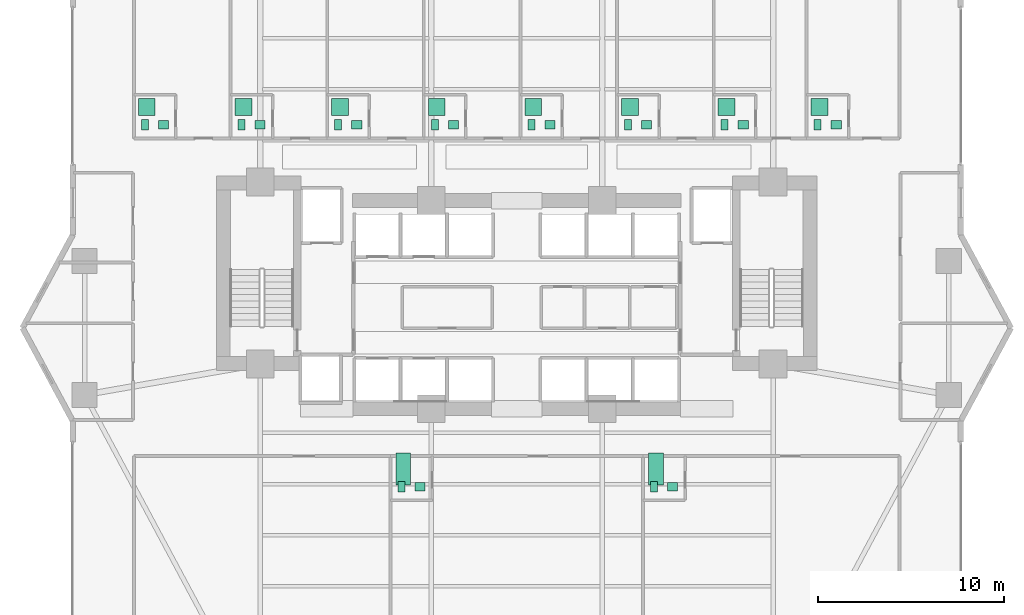
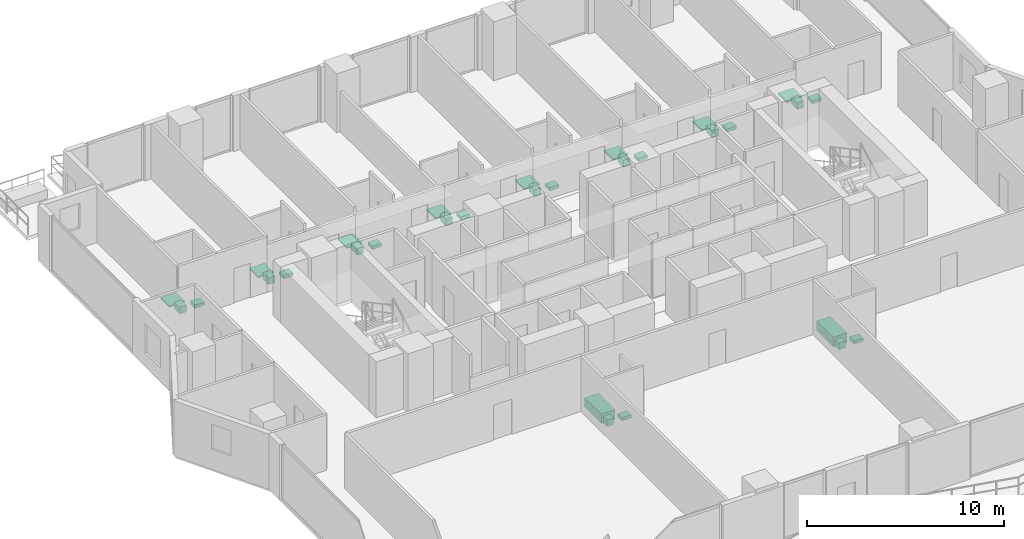
# One storey, part 29 of 29: 30 sanitary terminals.
"""IFC4 building model written with IfcOpenShell, lengths in metres."""

from ifc_helpers import new_model, si_unit, direction, frame, origin, origin_2d, place, context, subcontext, project, spatial, rectangle, extrude, material, type_object, element, save


model = new_model("IFC4")

# Units and contexts
model_context = context("Model", 3, precision=1e-05, world=origin(), true_north=direction((0.0, 1.0)))
body_context = subcontext(model_context, "Body", "Model", "MODEL_VIEW")
ifc_project = project(units=[si_unit("LENGTHUNIT", "METRE"), si_unit("AREAUNIT", "SQUARE_METRE"), si_unit("VOLUMEUNIT", "CUBIC_METRE"), si_unit("PLANEANGLEUNIT", "RADIAN"), si_unit("MASSUNIT", "GRAM", prefix="KILO")], contexts=[model_context])

# Site, building, storey
site_placement = place(None, origin())
site = spatial("IfcSite", under=ifc_project, at=site_placement, CompositionType="ELEMENT")
building_placement = place(site_placement, origin())
building = spatial("IfcBuilding", under=site, at=building_placement, Name="Zuhayl Quay Hotel", CompositionType="ELEMENT")
storey_placement = place(building_placement, frame((0.0, 0.0, 113.89990234375)))
storey = spatial("IfcBuildingStorey", under=building, at=storey_placement, Name="L28", CompositionType="ELEMENT", Elevation=113.89990234375)

# Sanitary terminals
ifc_material = material(Name="Vitreous Porcelain Sanitaryware")
sanitary_terminal_type_1 = type_object("IfcSanitaryTerminalType", Name="SAN_BASIN", PredefinedType="WASHHANDBASIN", material=ifc_material)
for number, where, z_axis, x_axis, name in (
    (1, (-19.010009765625, 17.43994140625, 0.0), (0.0, 0.0, 1.0), (1.0, 0.0, 0.0), "L28 Sanitary Fixture WASHHANDBASIN"),
    (2, (-13.81005859375, 17.43994140625, 0.0), (0.0, 0.0, 1.0), (1.0, 0.0, 0.0), "L28 Sanitary Fixture WASHHANDBASIN"),
    (3, (-8.610107421875, 17.43994140625, 0.0), (0.0, 0.0, 1.0), (1.0, 0.0, 0.0), "L28 Sanitary Fixture WASHHANDBASIN"),
    (4, (-3.409912109375, 17.43994140625, 0.0), (0.0, 0.0, 1.0), (1.0, 0.0, 0.0), "L28 Sanitary Fixture WASHHANDBASIN"),
    (5, (1.7900390625, 17.43994140625, 0.0), (0.0, 0.0, 1.0), (1.0, 0.0, 0.0), "L28 Sanitary Fixture WASHHANDBASIN"),
    (6, (6.989990234375, 17.43994140625, 0.0), (0.0, 0.0, 1.0), (1.0, 0.0, 0.0), "L28 Sanitary Fixture WASHHANDBASIN"),
    (7, (12.18994140625, 17.43994140625, 0.0), (0.0, 0.0, 1.0), (1.0, 0.0, 0.0), "L28 Sanitary Fixture WASHHANDBASIN"),
    (8, (17.18994140625, 17.43994140625, 0.0), (0.0, 0.0, 1.0), (1.0, 0.0, 0.0), "L28 Sanitary Fixture WASHHANDBASIN"),
    (9, (-5.2099609375, -2.0400390625, 0.0), (0.0, 0.0, 1.0), (1.0, 0.0, 0.0), "L28 Sanitary Fixture WASHHANDBASIN"),
    (10, (8.389892578125, -2.0400390625, 0.0), (0.0, 0.0, 1.0), (1.0, 0.0, 0.0), "L28 Sanitary Fixture WASHHANDBASIN"),
):
    element("IfcSanitaryTerminal", number, at=place(storey_placement, frame(where, z_axis=z_axis, x_axis=x_axis)), inside=storey, type_object=sanitary_terminal_type_1, Name=name, PredefinedType="WASHHANDBASIN", context=body_context, shape_type="SweptSolid", body=[
        extrude(rectangle(XDim=0.550048828125, YDim=0.449951171875, at=origin_2d()), origin(), (0.0, 0.0, 1.0), 0.199951171875),
    ])
sanitary_terminal_type_2 = type_object("IfcSanitaryTerminalType", Name="SAN_BATH", PredefinedType="BATH", material=ifc_material)
for number, where, z_axis, x_axis, name in (
    (11, (-6.110107421875, -1.090087890625, 0.0), (0.0, 0.0, 1.0), (1.0, 0.0, 0.0), "L28 Sanitary Fixture BATH"),
    (12, (7.489990234375, -1.090087890625, 0.0), (0.0, 0.0, 1.0), (1.0, 0.0, 0.0), "L28 Sanitary Fixture BATH"),
):
    element("IfcSanitaryTerminal", number, at=place(storey_placement, frame(where, z_axis=z_axis, x_axis=x_axis)), inside=storey, type_object=sanitary_terminal_type_2, Name=name, PredefinedType="BATH", context=body_context, shape_type="SweptSolid", body=[
        extrude(rectangle(XDim=0.800048828125, YDim=1.699951171875, at=origin_2d()), origin(), (0.0, 0.0, 1.0), 0.580078125),
    ])
sanitary_terminal_type_3 = type_object("IfcSanitaryTerminalType", Name="SAN_SHOWER", PredefinedType="SHOWER", material=ifc_material)
for number, where, z_axis, x_axis, name in (
    (13, (-19.909912109375, 18.389892578125, 0.0), (0.0, 0.0, 1.0), (1.0, 0.0, 0.0), "L28 Sanitary Fixture SHOWER"),
    (14, (-14.7099609375, 18.389892578125, 0.0), (0.0, 0.0, 1.0), (1.0, 0.0, 0.0), "L28 Sanitary Fixture SHOWER"),
    (15, (-9.510009765625, 18.389892578125, 0.0), (0.0, 0.0, 1.0), (1.0, 0.0, 0.0), "L28 Sanitary Fixture SHOWER"),
    (16, (-4.31005859375, 18.389892578125, 0.0), (0.0, 0.0, 1.0), (1.0, 0.0, 0.0), "L28 Sanitary Fixture SHOWER"),
    (17, (0.889892578125, 18.389892578125, 0.0), (0.0, 0.0, 1.0), (1.0, 0.0, 0.0), "L28 Sanitary Fixture SHOWER"),
    (18, (6.090087890625, 18.389892578125, 0.0), (0.0, 0.0, 1.0), (1.0, 0.0, 0.0), "L28 Sanitary Fixture SHOWER"),
    (19, (11.2900390625, 18.389892578125, 0.0), (0.0, 0.0, 1.0), (1.0, 0.0, 0.0), "L28 Sanitary Fixture SHOWER"),
    (20, (16.2900390625, 18.389892578125, 0.0), (0.0, 0.0, 1.0), (1.0, 0.0, 0.0), "L28 Sanitary Fixture SHOWER"),
):
    element("IfcSanitaryTerminal", number, at=place(storey_placement, frame(where, z_axis=z_axis, x_axis=x_axis)), inside=storey, type_object=sanitary_terminal_type_3, Name=name, PredefinedType="SHOWER", context=body_context, shape_type="SweptSolid", body=[
        extrude(rectangle(XDim=0.89990234375, YDim=0.89990234375, at=origin_2d()), origin(), (0.0, 0.0, 1.0), 0.080078125),
    ])
sanitary_terminal_type_4 = type_object("IfcSanitaryTerminalType", Name="SAN_WC", PredefinedType="TOILETPAN", material=ifc_material)
for number, where, z_axis, x_axis, name in (
    (21, (-20.010009765625, 17.43994140625, 0.000244140625), (0.0, 0.0, 1.0), (1.0, 0.0, 0.0), "L28 Sanitary Fixture TOILETPAN"),
    (22, (-14.81005859375, 17.43994140625, 0.000244140625), (0.0, 0.0, 1.0), (1.0, 0.0, 0.0), "L28 Sanitary Fixture TOILETPAN"),
    (23, (-9.610107421875, 17.43994140625, 0.000244140625), (0.0, 0.0, 1.0), (1.0, 0.0, 0.0), "L28 Sanitary Fixture TOILETPAN"),
    (24, (-4.409912109375, 17.43994140625, 0.000244140625), (0.0, 0.0, 1.0), (1.0, 0.0, 0.0), "L28 Sanitary Fixture TOILETPAN"),
    (25, (0.7900390625, 17.43994140625, 0.000244140625), (0.0, 0.0, 1.0), (1.0, 0.0, 0.0), "L28 Sanitary Fixture TOILETPAN"),
    (26, (5.989990234375, 17.43994140625, 0.000244140625), (0.0, 0.0, 1.0), (1.0, 0.0, 0.0), "L28 Sanitary Fixture TOILETPAN"),
    (27, (11.18994140625, 17.43994140625, 0.000244140625), (0.0, 0.0, 1.0), (1.0, 0.0, 0.0), "L28 Sanitary Fixture TOILETPAN"),
    (28, (16.18994140625, 17.43994140625, 0.000244140625), (0.0, 0.0, 1.0), (1.0, 0.0, 0.0), "L28 Sanitary Fixture TOILETPAN"),
    (29, (-6.2099609375, -2.0400390625, 0.000244140625), (0.0, 0.0, 1.0), (1.0, 0.0, 0.0), "L28 Sanitary Fixture TOILETPAN"),
    (30, (7.389892578125, -2.0400390625, 0.000244140625), (0.0, 0.0, 1.0), (1.0, 0.0, 0.0), "L28 Sanitary Fixture TOILETPAN"),
):
    element("IfcSanitaryTerminal", number, at=place(storey_placement, frame(where, z_axis=z_axis, x_axis=x_axis)), inside=storey, type_object=sanitary_terminal_type_4, Name=name, PredefinedType="TOILETPAN", context=body_context, shape_type="SweptSolid", body=[
        extrude(rectangle(XDim=0.3798828125, YDim=0.56005859375, at=origin_2d()), origin(), (0.0, 0.0, 1.0), 0.419921875),
    ])

save(model, "model.ifc")
